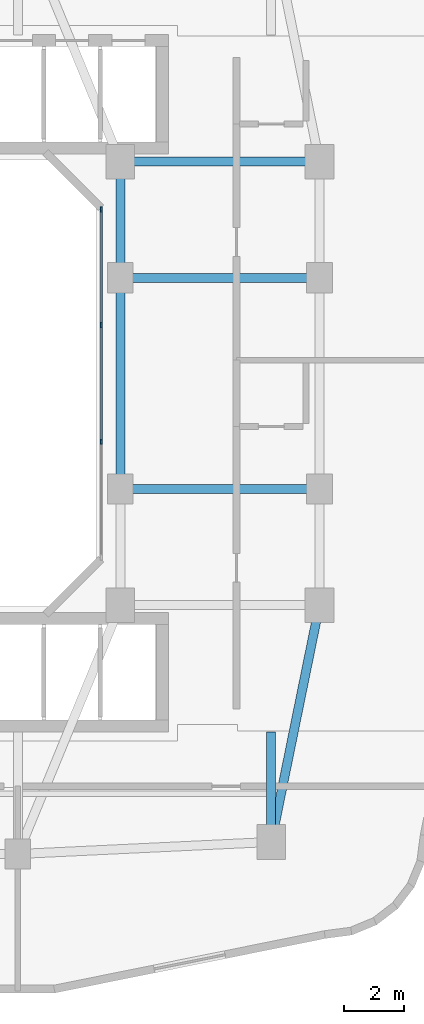
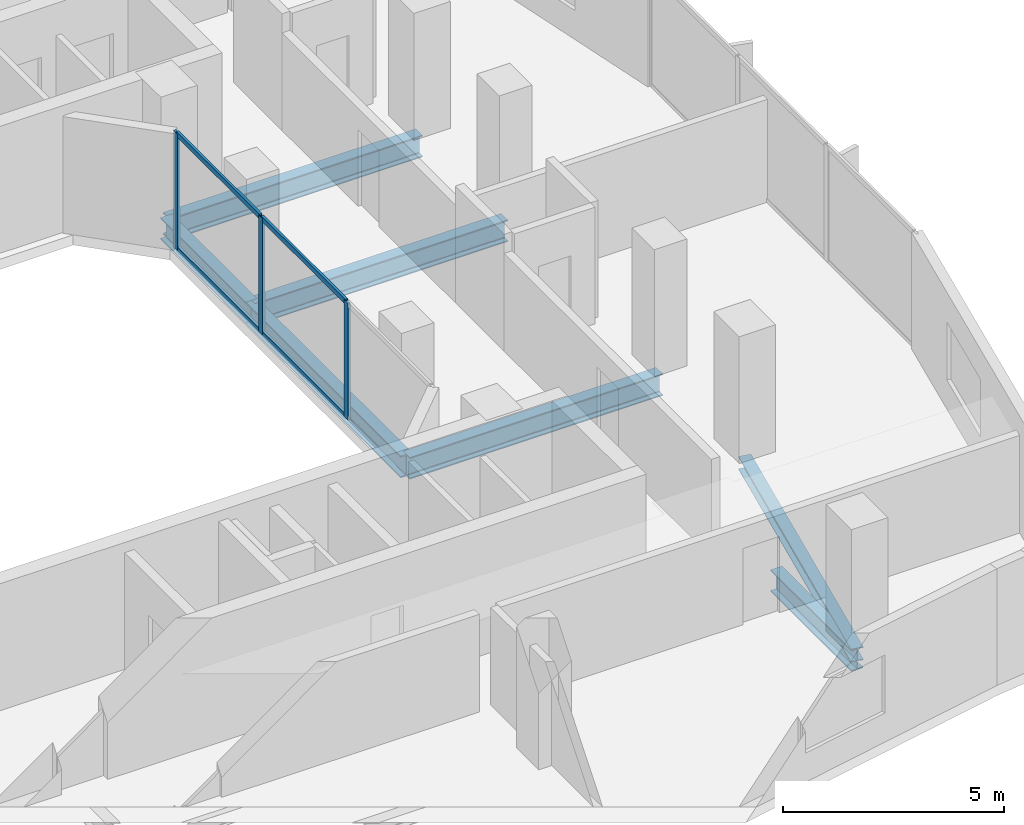
# One storey, part 3 of 22: 7 beams, 7 members, 1 element without a shape of its own.
"""IFC4 building model written with IfcOpenShell, lengths in metres."""

from ifc_helpers import new_model, si_unit, derived_unit, direction, frame, origin, origin_2d, place, context, subcontext, project, spatial, rectangle, i_section, extrude, material, layer, layer_set, material_profile, profile_set, type_object, element, aggregate, save


model = new_model("IFC4")

# Units and contexts
model_context = context("Model", 3, precision=1e-05, world=origin(), true_north=direction((0.0, 1.0)))
body_context = subcontext(model_context, "Body", "Model", "MODEL_VIEW")
ifc_project = project(units=[si_unit("LENGTHUNIT", "METRE"), si_unit("AREAUNIT", "SQUARE_METRE"), si_unit("VOLUMEUNIT", "CUBIC_METRE"), si_unit("PLANEANGLEUNIT", "RADIAN"), si_unit("MASSUNIT", "GRAM", prefix="KILO"), derived_unit("THERMALTRANSMITTANCEUNIT", [(si_unit("POWERUNIT", "WATT"), 1), (si_unit("LENGTHUNIT", "METRE"), -2), (si_unit("THERMODYNAMICTEMPERATUREUNIT", "KELVIN"), -1)])], contexts=[model_context])

# Site, building, storey
site_placement = place(None, origin())
site = spatial("IfcSite", under=ifc_project, at=site_placement, CompositionType="ELEMENT")
building_placement = place(site_placement, origin())
building = spatial("IfcBuilding", under=site, at=building_placement, Name="Kivonza Crest Hotel", CompositionType="ELEMENT")
storey_placement = place(building_placement, frame((0.0, 0.0, 112.5)))
storey = spatial("IfcBuildingStorey", under=building, at=storey_placement, Name="L30", CompositionType="ELEMENT", Elevation=112.5)

# Beams
ifc_material_1 = material(Name="Steel S355", Category="steel")
ifc_material_profile_1 = material_profile(ifc_material_1, i_section(OverallWidth=0.300048828125, OverallDepth=0.360107421875, WebThickness=0.012451171875, FlangeThickness=0.0224609375, FilletRadius=0.027099609375, at=origin_2d()), Name="HEB 360")
ifc_profile_set_1 = profile_set([ifc_material_profile_1], Name="Steel S355")
beam_type_1 = type_object("IfcBeamType", Name="BM-HEB360", PredefinedType="SPANDREL", material=ifc_profile_set_1)
beam_1_placement = place(storey_placement, frame((34.199951171875, 9.800048828125, -0.4599609375), z_axis=(0.199730733965, 0.979850822273, 0.0), x_axis=(-0.979850822273, 0.199730733965, 0.0)))
element("IfcBeam", 1, at=beam_1_placement, inside=storey, type_object=beam_type_1, Name="Tower T1 L30 perimeter spandrel SE-PSE", PredefinedType="SPANDREL", context=body_context, shape_type="SweptSolid", body=[
    extrude(i_section(OverallWidth=0.300048828125, OverallDepth=0.360107421875, WebThickness=0.012451171875, FlangeThickness=0.0224609375, FilletRadius=0.027099609375, at=origin_2d()), origin(), (0.0, 0.0, 1.0), 8.01123046875),
])
ifc_material_profile_2 = material_profile(ifc_material_1, i_section(OverallWidth=0.300048828125, OverallDepth=0.60009765625, WebThickness=0.015380859375, FlangeThickness=0.030029296875, FilletRadius=0.027099609375, at=origin_2d()), Name="HEB 600")
ifc_profile_set_2 = profile_set([ifc_material_profile_2], Name="Steel S355")
beam_type_2 = type_object("IfcBeamType", Name="BM-HEB600", PredefinedType="BEAM", material=ifc_profile_set_2)
beam_2_placement = place(storey_placement, frame((29.199951171875, 32.35009765625, -0.580078125), z_axis=(1.0, 0.0, 0.0), x_axis=(0.0, 1.0, 0.0)))
element("IfcBeam", 2, at=beam_2_placement, inside=storey, type_object=beam_type_2, Name="Tower T1 L30 primary girder TNE-PNE", PredefinedType="BEAM", context=body_context, shape_type="SweptSolid", body=[
    extrude(i_section(OverallWidth=0.300048828125, OverallDepth=0.60009765625, WebThickness=0.015380859375, FlangeThickness=0.030029296875, FilletRadius=0.027099609375, at=origin_2d()), origin(), (0.0, 0.0, 1.0), 6.60009765625),
])
beam_3_placement = place(storey_placement, frame((29.199951171875, 21.5, -0.580078125), z_axis=(0.0, 1.0, 0.0), x_axis=(-1.0, 0.0, 0.0)))
element("IfcBeam", 3, at=beam_3_placement, inside=storey, type_object=beam_type_2, Name="Tower T1 L30 primary girder WR1-WR2", PredefinedType="BEAM", context=body_context, shape_type="SweptSolid", body=[
    extrude(i_section(OverallWidth=0.300048828125, OverallDepth=0.60009765625, WebThickness=0.015380859375, FlangeThickness=0.030029296875, FilletRadius=0.027099609375, at=origin_2d()), origin(), (0.0, 0.0, 1.0), 7.0),
])
beam_4_placement = place(storey_placement, frame((29.199951171875, 28.5, -0.580078125), z_axis=(0.0, 1.0, 0.0), x_axis=(-1.0, 0.0, 0.0)))
element("IfcBeam", 4, at=beam_4_placement, inside=storey, type_object=beam_type_2, Name="Tower T1 L30 primary girder WR2-TNE", PredefinedType="BEAM", context=body_context, shape_type="SweptSolid", body=[
    extrude(i_section(OverallWidth=0.300048828125, OverallDepth=0.60009765625, WebThickness=0.015380859375, FlangeThickness=0.030029296875, FilletRadius=0.027099609375, at=origin_2d()), origin(), (0.0, 0.0, 1.0), 3.85009765625),
])
for number, where, z_axis, x_axis, name in (
    (5, (29.199951171875, 21.5, -0.580078125), (1.0, 0.0, 0.0), (0.0, 1.0, 0.0), "Tower T1 L30 primary girder WR1-E1"),
    (6, (29.199951171875, 28.5, -0.580078125), (1.0, 0.0, 0.0), (0.0, 1.0, 0.0), "Tower T1 L30 primary girder WR2-E2"),
):
    element("IfcBeam", number, at=place(storey_placement, frame(where, z_axis=z_axis, x_axis=x_axis)), inside=storey, type_object=beam_type_2, Name=name, PredefinedType="BEAM", context=body_context, shape_type="SweptSolid", body=[
        extrude(i_section(OverallWidth=0.300048828125, OverallDepth=0.60009765625, WebThickness=0.015380859375, FlangeThickness=0.030029296875, FilletRadius=0.027099609375, at=origin_2d()), origin(), (0.0, 0.0, 1.0), 6.60009765625),
    ])
beam_5_placement = place(storey_placement, frame((34.199951171875, 9.800048828125, -0.580078125), z_axis=(0.0, 1.0, 0.0), x_axis=(-1.0, 0.0, 0.0)))
element("IfcBeam", 7, at=beam_5_placement, inside=storey, type_object=beam_type_2, Name="Tower T1 L30 radial core girder RSE", PredefinedType="BEAM", context=body_context, shape_type="SweptSolid", body=[
    extrude(i_section(OverallWidth=0.300048828125, OverallDepth=0.60009765625, WebThickness=0.015380859375, FlangeThickness=0.030029296875, FilletRadius=0.027099609375, at=origin_2d()), origin(), (0.0, 0.0, 1.0), 3.64990234375),
])

# Curtain wall, members
ifc_material_2 = material(Name="Anodised bronze aluminium and low-E double glazing", Category="aluminium")
ifc_layer = layer(ifc_material_2, 0.159912109375)
ifc_layer_set = layer_set([ifc_layer], Name="Anodised bronze aluminium and low-E double glazing")
curtain_wall_type = type_object("IfcCurtainWallType", Name="CW-SYS-5", PredefinedType="NOTDEFINED", material=ifc_layer_set)
curtain_wall_placement = place(storey_placement, origin())
curtain_wall = element("IfcCurtainWall", 8, at=curtain_wall_placement, inside=storey, type_object=curtain_wall_type, Name="L30 unitised curtain wall CW-WELL-T1-L30-3", PredefinedType="NOTDEFINED")
ifc_material_3 = material(Name="Anodised bronze aluminium", Category="aluminium")
ifc_material_profile_3 = material_profile(ifc_material_3, rectangle(XDim=0.06494140625, YDim=0.179931640625, at=origin_2d()), Name="CW-M 65x180")
ifc_profile_set_3 = profile_set([ifc_material_profile_3], Name="Anodised bronze aluminium")
member_type_1 = type_object("IfcMemberType", Name="CW-MUL-65x180", PredefinedType="MULLION", material=ifc_profile_set_3)
member_1_placement = place(storey_placement, frame((28.56005859375, 23.066650390625, 0.0), z_axis=(0.0, 0.0, 1.0), x_axis=(-1.0, 0.0, 0.0)))
member_1 = element("IfcMember", 9, at=member_1_placement, type_object=member_type_1, Name="CW-5 mullion 2", PredefinedType="MULLION", context=body_context, shape_type="SweptSolid", body=[
    extrude(rectangle(XDim=0.06494140625, YDim=0.179931640625, at=origin_2d()), origin(), (0.0, 0.0, 1.0), 3.219970703125),
])
member_2_placement = place(storey_placement, frame((28.56005859375, 26.933349609375, 0.0), z_axis=(0.0, 0.0, 1.0), x_axis=(-1.0, 0.0, 0.0)))
member_2 = element("IfcMember", 10, at=member_2_placement, type_object=member_type_1, Name="CW-5 mullion 3", PredefinedType="MULLION", context=body_context, shape_type="SweptSolid", body=[
    extrude(rectangle(XDim=0.06494140625, YDim=0.179931640625, at=origin_2d()), origin(), (0.0, 0.0, 1.0), 3.219970703125),
])
member_3_placement = place(storey_placement, frame((28.56005859375, 30.767578125, 0.0), z_axis=(0.0, 0.0, 1.0), x_axis=(-1.0, 0.0, 0.0)))
member_3 = element("IfcMember", 11, at=member_3_placement, type_object=member_type_1, Name="CW-5 mullion 4", PredefinedType="MULLION", context=body_context, shape_type="SweptSolid", body=[
    extrude(rectangle(XDim=0.06494140625, YDim=0.179931640625, at=origin_2d()), origin(), (0.0, 0.0, 1.0), 3.219970703125),
])
ifc_material_profile_4 = material_profile(ifc_material_3, rectangle(XDim=0.06494140625, YDim=0.139892578125, at=origin_2d()), Name="CW-T 65x140")
ifc_profile_set_4 = profile_set([ifc_material_profile_4], Name="Anodised bronze aluminium")
member_type_2 = type_object("IfcMemberType", Name="CW-TRN-65x140", PredefinedType="USERDEFINED", material=ifc_profile_set_4)
member_4_placement = place(storey_placement, frame((28.56005859375, 23.09912109375, 0.032470703125), z_axis=(0.0, 1.0, 0.0), x_axis=(-1.0, 0.0, 0.0)))
member_4 = element("IfcMember", 12, at=member_4_placement, type_object=member_type_2, Name="CW-5 transom 2.1", ObjectType="TRANSOM", PredefinedType="USERDEFINED", context=body_context, shape_type="SweptSolid", body=[
    extrude(rectangle(XDim=0.06494140625, YDim=0.139892578125, at=origin_2d()), origin(), (0.0, 0.0, 1.0), 3.8017578125),
])
member_5_placement = place(storey_placement, frame((28.56005859375, 23.09912109375, 3.1875), z_axis=(0.0, 1.0, 0.0), x_axis=(-1.0, 0.0, 0.0)))
member_5 = element("IfcMember", 13, at=member_5_placement, type_object=member_type_2, Name="CW-5 transom 2.2", ObjectType="TRANSOM", PredefinedType="USERDEFINED", context=body_context, shape_type="SweptSolid", body=[
    extrude(rectangle(XDim=0.06494140625, YDim=0.139892578125, at=origin_2d()), origin(), (0.0, 0.0, 1.0), 3.8017578125),
])
member_6_placement = place(storey_placement, frame((28.56005859375, 26.9658203125, 0.032470703125), z_axis=(0.0, 1.0, 0.0), x_axis=(-1.0, 0.0, 0.0)))
member_6 = element("IfcMember", 14, at=member_6_placement, type_object=member_type_2, Name="CW-5 transom 3.1", ObjectType="TRANSOM", PredefinedType="USERDEFINED", context=body_context, shape_type="SweptSolid", body=[
    extrude(rectangle(XDim=0.06494140625, YDim=0.139892578125, at=origin_2d()), origin(), (0.0, 0.0, 1.0), 3.769287109375),
])
member_7_placement = place(storey_placement, frame((28.56005859375, 26.9658203125, 3.1875), z_axis=(0.0, 1.0, 0.0), x_axis=(-1.0, 0.0, 0.0)))
member_7 = element("IfcMember", 15, at=member_7_placement, type_object=member_type_2, Name="CW-5 transom 3.2", ObjectType="TRANSOM", PredefinedType="USERDEFINED", context=body_context, shape_type="SweptSolid", body=[
    extrude(rectangle(XDim=0.06494140625, YDim=0.139892578125, at=origin_2d()), origin(), (0.0, 0.0, 1.0), 3.769287109375),
])
aggregate(curtain_wall, [member_1, member_2, member_3, member_4, member_5, member_6, member_7])

save(model, "model.ifc")
